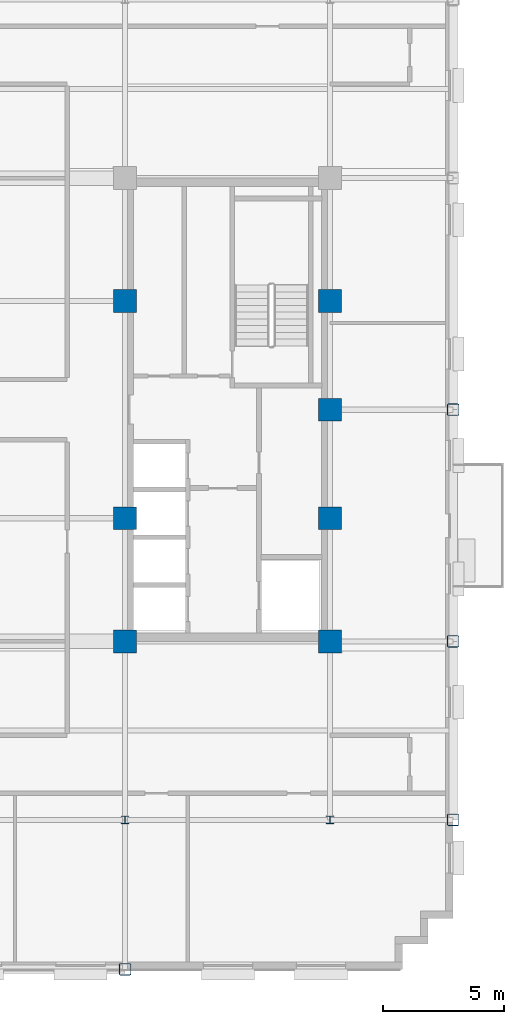
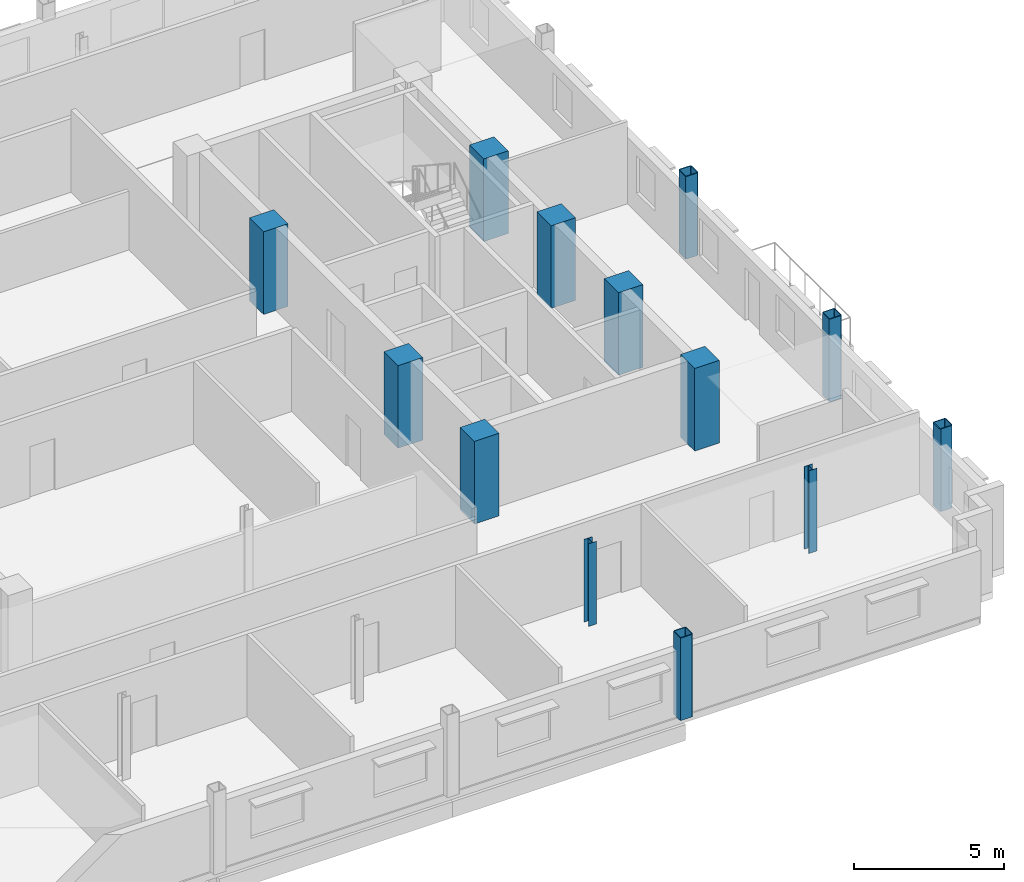
# One storey, part 2 of 15: 13 columns.
"""IFC4 building model written with IfcOpenShell, lengths in metres."""

from ifc_helpers import new_model, si_unit, direction, frame, origin, origin_2d, place, context, subcontext, project, spatial, rectangle, hollow_rectangle, i_section, extrude, material, material_profile, profile_set, type_object, element, save


model = new_model("IFC4")

# Units and contexts
model_context = context("Model", 3, precision=1e-05, world=origin(), true_north=direction((0.0, 1.0)))
body_context = subcontext(model_context, "Body", "Model", "MODEL_VIEW")
ifc_project = project(units=[si_unit("LENGTHUNIT", "METRE"), si_unit("AREAUNIT", "SQUARE_METRE"), si_unit("VOLUMEUNIT", "CUBIC_METRE"), si_unit("PLANEANGLEUNIT", "RADIAN"), si_unit("MASSUNIT", "GRAM", prefix="KILO")], contexts=[model_context])

# Site, building, storey
site_placement = place(None, origin())
site = spatial("IfcSite", under=ifc_project, at=site_placement, CompositionType="ELEMENT")
building_placement = place(site_placement, origin())
building = spatial("IfcBuilding", under=site, at=building_placement, Name="Nuvemarco Arch Tower", CompositionType="ELEMENT")
storey_placement = place(building_placement, frame((0.0, 0.0, 190.89990234375)))
storey = spatial("IfcBuildingStorey", under=building, at=storey_placement, Name="L50", CompositionType="ELEMENT", Elevation=190.89990234375)

# Columns
ifc_material_1 = material(Name="Concrete C50/60", Category="concrete")
ifc_material_profile_1 = material_profile(ifc_material_1, rectangle(XDim=0.949951171875, YDim=0.949951171875, at=origin_2d()), Name="RC-COL-950x950")
ifc_profile_set_1 = profile_set([ifc_material_profile_1], Name="Concrete C50/60")
column_type_1 = type_object("IfcColumnType", Name="COL-CORE-950", PredefinedType="COLUMN", material=ifc_profile_set_1)
for number, where, z_axis, x_axis, name in (
    (1, (9.0, -9.60009765625, 0.0), (0.0, 0.0, 1.0), (1.0, 0.0, 0.0), "L50 column CC_+9.0_-9.6"),
    (2, (9.0, -4.5, 0.0), (0.0, 0.0, 1.0), (1.0, 0.0, 0.0), "L50 column CC_+9.0_-4.5"),
    (3, (9.0, 4.5, 0.0), (0.0, 0.0, 1.0), (1.0, 0.0, 0.0), "L50 column CC_+9.0_+4.5"),
    (4, (17.5, -9.60009765625, 0.0), (0.0, 0.0, 1.0), (1.0, 0.0, 0.0), "L50 column CC_+17.5_-9.6"),
    (5, (17.5, -4.5, 0.0), (0.0, 0.0, 1.0), (1.0, 0.0, 0.0), "L50 column CC_+17.5_-4.5"),
    (6, (17.5, 4.5, 0.0), (0.0, 0.0, 1.0), (1.0, 0.0, 0.0), "L50 column CC_+17.5_+4.5"),
    (7, (17.5, 0.0, 0.0), (0.0, 0.0, 1.0), (1.0, 0.0, 0.0), "L50 column CC_+17.5_+0.0"),
):
    element("IfcColumn", number, at=place(storey_placement, frame(where, z_axis=z_axis, x_axis=x_axis)), inside=storey, type_object=column_type_1, Name=name, PredefinedType="COLUMN", context=body_context, shape_type="SweptSolid", body=[
        extrude(rectangle(XDim=0.949951171875, YDim=0.949951171875, at=origin_2d()), origin(), (0.0, 0.0, 1.0), 3.3701171875),
    ])
ifc_material_2 = material(Name="Steel S355", Category="steel")
ifc_material_profile_2 = material_profile(ifc_material_2, hollow_rectangle(XDim=0.5, YDim=0.5, WallThickness=0.031982421875, InnerFilletRadius=0.031982421875, OuterFilletRadius=0.06396484375, at=origin_2d()), Name="SHS500x500x32")
ifc_profile_set_2 = profile_set([ifc_material_profile_2], Name="Steel S355")
column_type_2 = type_object("IfcColumnType", Name="COL-EXO-500", PredefinedType="COLUMN", material=ifc_profile_set_2)
for number, where, z_axis, x_axis, name in (
    (8, (22.60009765625, -17.0, 0.0), (0.0, 0.0, 1.0), (1.0, 0.0, 0.0), "L50 column CX_+22.6_-17.0"),
    (9, (22.60009765625, -9.60009765625, 0.0), (0.0, 0.0, 1.0), (1.0, 0.0, 0.0), "L50 column CX_+22.6_-9.6"),
    (10, (22.60009765625, 0.0, 0.0), (0.0, 0.0, 1.0), (1.0, 0.0, 0.0), "L50 column CX_+22.6_+0.0"),
    (11, (9.0, -23.199951171875, 0.0), (0.0, 0.0, 1.0), (1.0, 0.0, 0.0), "L50 column CY_+9.0_-23.2"),
):
    element("IfcColumn", number, at=place(storey_placement, frame(where, z_axis=z_axis, x_axis=x_axis)), inside=storey, type_object=column_type_2, Name=name, PredefinedType="COLUMN", context=body_context, shape_type="SweptSolid", body=[
        extrude(hollow_rectangle(XDim=0.5, YDim=0.5, WallThickness=0.031982421875, InnerFilletRadius=0.031982421875, OuterFilletRadius=0.06396484375, at=origin_2d()), origin(), (0.0, 0.0, 1.0), 3.3701171875),
    ])
ifc_material_profile_3 = material_profile(ifc_material_2, i_section(OverallWidth=0.31005859375, OverallDepth=0.31005859375, WebThickness=0.015380859375, FlangeThickness=0.015380859375, FilletRadius=0.014892578125, at=origin_2d()), Name="HP310x110")
ifc_profile_set_3 = profile_set([ifc_material_profile_3], Name="Steel S355")
column_type_3 = type_object("IfcColumnType", Name="COL-STL-HP310", PredefinedType="COLUMN", material=ifc_profile_set_3)
for number, where, z_axis, x_axis, name in (
    (12, (9.0, -17.0, 0.0), (0.0, 0.0, 1.0), (1.0, 0.0, 0.0), "L50 column CI_+9.0_-17.0"),
    (13, (17.5, -17.0, 0.0), (0.0, 0.0, 1.0), (1.0, 0.0, 0.0), "L50 column CI_+17.5_-17.0"),
):
    element("IfcColumn", number, at=place(storey_placement, frame(where, z_axis=z_axis, x_axis=x_axis)), inside=storey, type_object=column_type_3, Name=name, PredefinedType="COLUMN", context=body_context, shape_type="SweptSolid", body=[
        extrude(i_section(OverallWidth=0.31005859375, OverallDepth=0.31005859375, WebThickness=0.015380859375, FlangeThickness=0.015380859375, FilletRadius=0.014892578125, at=origin_2d()), origin(), (0.0, 0.0, 1.0), 3.3701171875),
    ])

save(model, "model.ifc")
